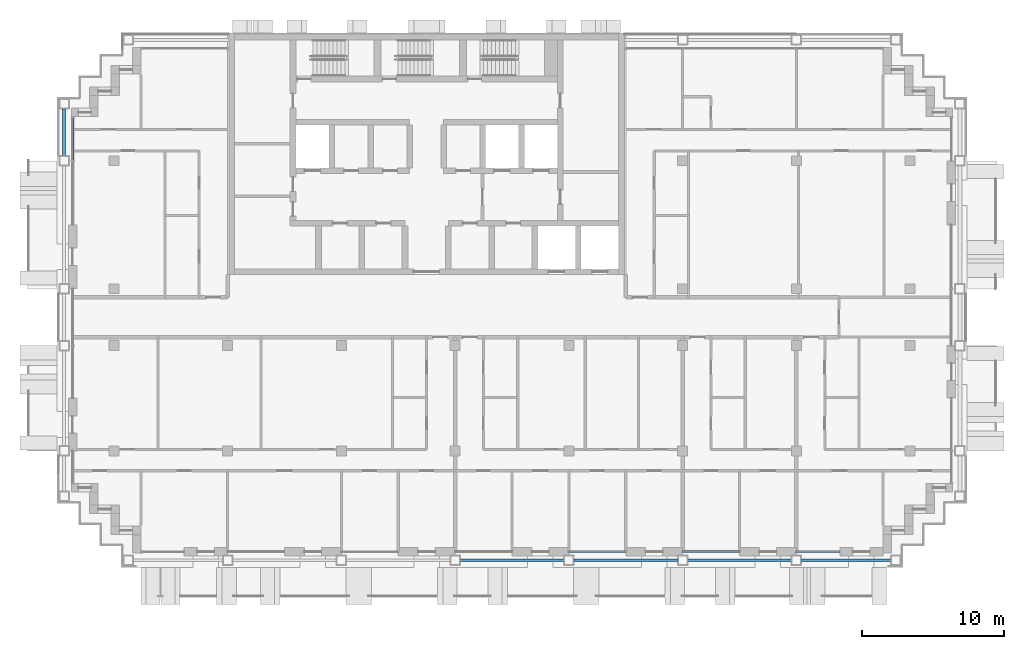
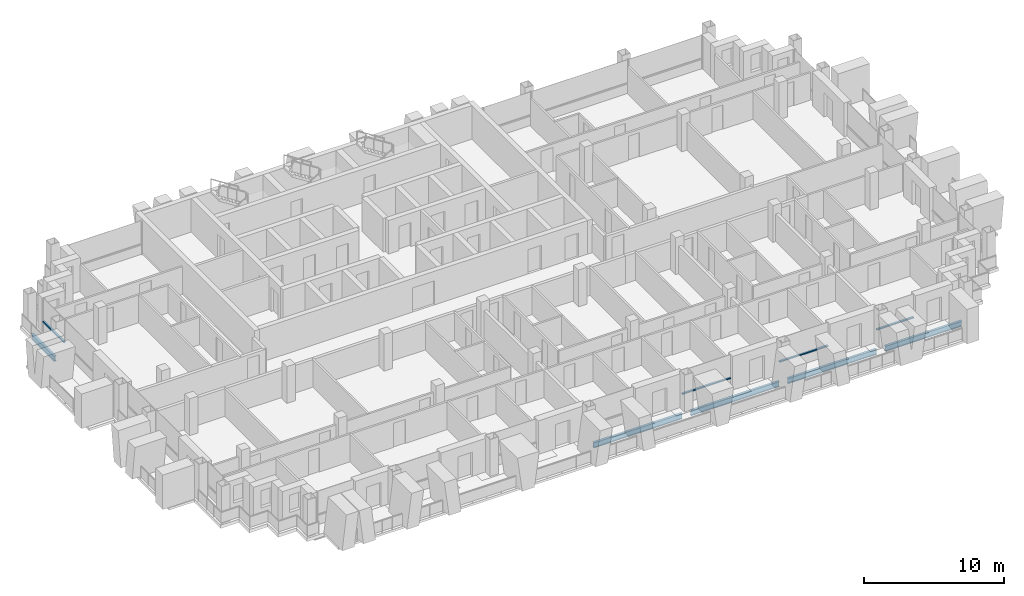
# One storey, part 3 of 16: 5 beams, 4 members, 4 elements without a shape of their own.
"""IFC4 building model written with IfcOpenShell, lengths in metres."""

from ifc_helpers import new_model, si_unit, direction, frame, origin, origin_2d, place, context, subcontext, project, spatial, rectangle, i_section, extrude, material, material_profile, profile_set, type_object, element, aggregate, save


model = new_model("IFC4")

# Units and contexts
model_context = context("Model", 3, precision=1e-05, world=origin(), true_north=direction((0.0, 1.0)))
body_context = subcontext(model_context, "Body", "Model", "MODEL_VIEW")
ifc_project = project(units=[si_unit("LENGTHUNIT", "METRE"), si_unit("AREAUNIT", "SQUARE_METRE"), si_unit("VOLUMEUNIT", "CUBIC_METRE"), si_unit("PLANEANGLEUNIT", "RADIAN"), si_unit("MASSUNIT", "GRAM", prefix="KILO")], contexts=[model_context])

# Site, building, storey
site_placement = place(None, origin())
site = spatial("IfcSite", under=ifc_project, at=site_placement, CompositionType="ELEMENT")
building_placement = place(site_placement, origin())
building = spatial("IfcBuilding", under=site, at=building_placement, Name="Vidyagriha Tower", CompositionType="ELEMENT")
storey_placement = place(building_placement, frame((0.0, 0.0, 181.300048828125)))
storey = spatial("IfcBuildingStorey", under=building, at=storey_placement, Name="L47", CompositionType="ELEMENT", Elevation=181.300048828125)

# Beams
ifc_material_1 = material(Name="Steel ASTM A992 Grade 50", Category="steel")
ifc_material_profile_1 = material_profile(ifc_material_1, i_section(OverallWidth=0.19189453125, OverallDepth=0.46240234375, WebThickness=0.010498046875, FlangeThickness=0.017578125, at=origin_2d()), Name="W18X60")
ifc_profile_set_1 = profile_set([ifc_material_profile_1], Name="Steel ASTM A992 Grade 50")
beam_type = type_object("IfcBeamType", Name="Edge beam W18X60", PredefinedType="SPANDREL", material=ifc_profile_set_1)
for number, where, z_axis, x_axis, name in (
    (1, (2.35009765625, -17.10009765625, -0.51123046875), (1.0, 0.0, 0.0), (0.0, 1.0, 0.0), "st-beam-L47-S04"),
    (2, (10.35009765625, -17.10009765625, -0.51123046875), (1.0, 0.0, 0.0), (0.0, 1.0, 0.0), "st-beam-L47-S05"),
    (3, (18.35009765625, -17.10009765625, -0.51123046875), (1.0, 0.0, 0.0), (0.0, 1.0, 0.0), "st-beam-L47-S06"),
):
    element("IfcBeam", number, at=place(storey_placement, frame(where, z_axis=z_axis, x_axis=x_axis)), inside=storey, type_object=beam_type, Name=name, PredefinedType="SPANDREL", context=body_context, shape_type="SweptSolid", body=[
        extrude(i_section(OverallWidth=0.19189453125, OverallDepth=0.46240234375, WebThickness=0.010498046875, FlangeThickness=0.017578125, at=origin_2d()), origin(), (0.0, 0.0, 1.0), 7.2998046875),
    ])
beam_1_placement = place(storey_placement, frame((26.35009765625, -17.10009765625, -0.51123046875), z_axis=(1.0, 0.0, 0.0), x_axis=(0.0, 1.0, 0.0)))
element("IfcBeam", 4, at=beam_1_placement, inside=storey, type_object=beam_type, Name="st-beam-L47-S07", PredefinedType="SPANDREL", context=body_context, shape_type="SweptSolid", body=[
    extrude(i_section(OverallWidth=0.19189453125, OverallDepth=0.46240234375, WebThickness=0.010498046875, FlangeThickness=0.017578125, at=origin_2d()), origin(), (0.0, 0.0, 1.0), 6.2998046875),
])
beam_2_placement = place(storey_placement, frame((-25.5, 11.35009765625, -0.51123046875), z_axis=(0.0, 1.0, 0.0), x_axis=(-1.0, 0.0, 0.0)))
element("IfcBeam", 5, at=beam_2_placement, inside=storey, type_object=beam_type, Name="st-beam-L47-W12", PredefinedType="SPANDREL", context=body_context, shape_type="SweptSolid", body=[
    extrude(i_section(OverallWidth=0.19189453125, OverallDepth=0.46240234375, WebThickness=0.010498046875, FlangeThickness=0.017578125, at=origin_2d()), origin(), (0.0, 0.0, 1.0), 3.2998046875),
])

# Curtain wall, member
ifc_material_2 = material(Name="Aluminium and glass curtain wall", Category="aluminium")
curtain_wall_type = type_object("IfcCurtainWallType", Name="Dwelling skin unitised curtain wall", PredefinedType="USERDEFINED", material=ifc_material_2)
curtain_wall_1_placement = place(storey_placement, origin())
curtain_wall_1 = element("IfcCurtainWall", 6, at=curtain_wall_1_placement, inside=storey, type_object=curtain_wall_type, Name="CW1 dwelling skin", ObjectType="UNITISED", PredefinedType="USERDEFINED")
ifc_material_3 = material(Name="Aluminium black anodised", Category="aluminium")
ifc_material_profile_2 = material_profile(ifc_material_3, rectangle(XDim=0.159912109375, YDim=0.10009765625, at=origin_2d()), Name="Transom 100x160 black aluminium")
ifc_profile_set_2 = profile_set([ifc_material_profile_2], Name="Aluminium black anodised")
member_type = type_object("IfcMemberType", Name="Transom 100x160 black aluminium", PredefinedType="USERDEFINED", material=ifc_profile_set_2)
member_1_placement = place(storey_placement, frame((-24.89990234375, 14.030029296875, 0.89990234375), z_axis=(0.0, -1.0, 0.0), x_axis=(1.0, 0.0, 0.0)))
member_1 = element("IfcMember", 7, at=member_1_placement, type_object=member_type, Name="CW1 transom 1.1", ObjectType="TRANSOM", PredefinedType="USERDEFINED", context=body_context, shape_type="SweptSolid", body=[
    extrude(rectangle(XDim=0.159912109375, YDim=0.10009765625, at=origin_2d()), origin(), (0.0, 0.0, 1.0), 2.9951171875),
])
aggregate(curtain_wall_1, [member_1])

curtain_wall_2_placement = place(storey_placement, origin())
curtain_wall_2 = element("IfcCurtainWall", 8, at=curtain_wall_2_placement, inside=storey, type_object=curtain_wall_type, Name="CW1 dwelling skin", ObjectType="UNITISED", PredefinedType="USERDEFINED")
member_2_placement = place(storey_placement, frame((10.0, -16.5, 0.89990234375), z_axis=(1.0, 0.0, 0.0), x_axis=(0.0, 1.0, 0.0)))
member_2 = element("IfcMember", 9, at=member_2_placement, type_object=member_type, Name="CW1 transom 1.1", ObjectType="TRANSOM", PredefinedType="USERDEFINED", context=body_context, shape_type="SweptSolid", body=[
    extrude(rectangle(XDim=0.159912109375, YDim=0.10009765625, at=origin_2d()), origin(), (0.0, 0.0, 1.0), 4.0),
])
aggregate(curtain_wall_2, [member_2])

curtain_wall_3_placement = place(storey_placement, origin())
curtain_wall_3 = element("IfcCurtainWall", 10, at=curtain_wall_3_placement, inside=storey, type_object=curtain_wall_type, Name="CW1 dwelling skin", ObjectType="UNITISED", PredefinedType="USERDEFINED")
member_3_placement = place(storey_placement, frame((18.0, -16.5, 0.89990234375), z_axis=(1.0, 0.0, 0.0), x_axis=(0.0, 1.0, 0.0)))
member_3 = element("IfcMember", 11, at=member_3_placement, type_object=member_type, Name="CW1 transom 1.1", ObjectType="TRANSOM", PredefinedType="USERDEFINED", context=body_context, shape_type="SweptSolid", body=[
    extrude(rectangle(XDim=0.159912109375, YDim=0.10009765625, at=origin_2d()), origin(), (0.0, 0.0, 1.0), 4.0),
])
aggregate(curtain_wall_3, [member_3])

curtain_wall_4_placement = place(storey_placement, origin())
curtain_wall_4 = element("IfcCurtainWall", 12, at=curtain_wall_4_placement, inside=storey, type_object=curtain_wall_type, Name="CW1 dwelling skin", ObjectType="UNITISED", PredefinedType="USERDEFINED")
member_4_placement = place(storey_placement, frame((26.0, -16.5, 0.89990234375), z_axis=(1.0, 0.0, 0.0), x_axis=(0.0, 1.0, 0.0)))
member_4 = element("IfcMember", 13, at=member_4_placement, type_object=member_type, Name="CW1 transom 1.1", ObjectType="TRANSOM", PredefinedType="USERDEFINED", context=body_context, shape_type="SweptSolid", body=[
    extrude(rectangle(XDim=0.159912109375, YDim=0.10009765625, at=origin_2d()), origin(), (0.0, 0.0, 1.0), 3.050048828125),
])
aggregate(curtain_wall_4, [member_4])

save(model, "model.ifc")
